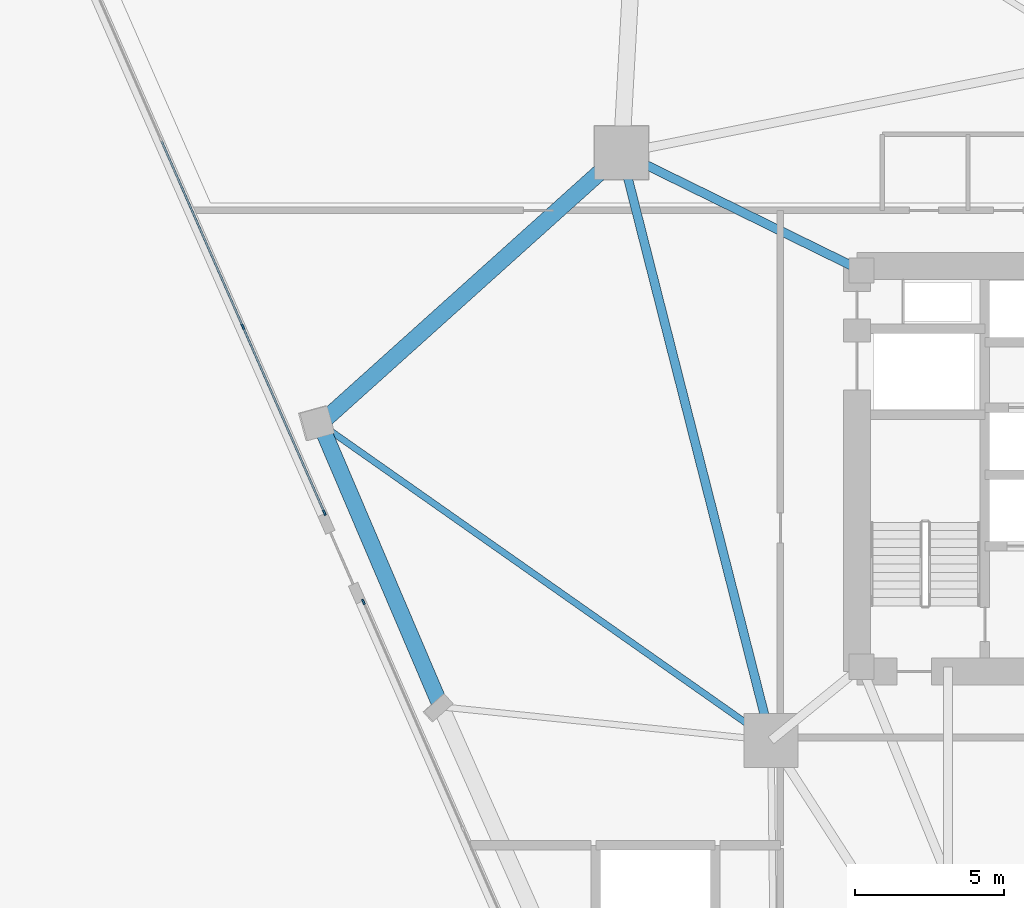
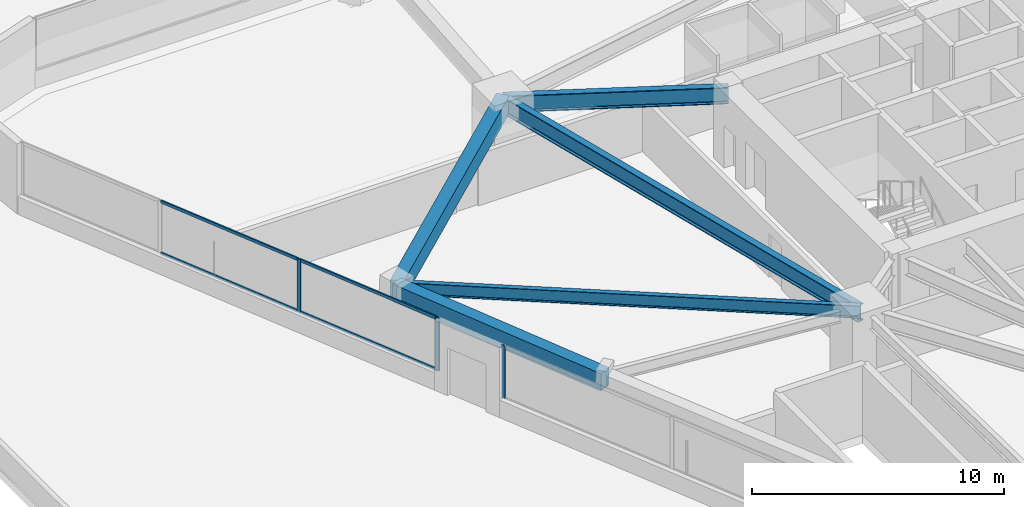
# One storey, part 6 of 21: 7 members, 5 beams, 2 elements without a shape of their own.
"""IFC4 building model written with IfcOpenShell, lengths in metres."""

from ifc_helpers import new_model, si_unit, direction, frame, origin, origin_2d, place, context, subcontext, project, spatial, rectangle, i_section, extrude, material, layer, layer_set, material_profile, profile_set, type_object, element, aggregate, save


model = new_model("IFC4")

# Units and contexts
model_context = context("Model", 3, precision=1e-05, world=origin(), true_north=direction((0.0, 1.0)))
body_context = subcontext(model_context, "Body", "Model", "MODEL_VIEW")
ifc_project = project(units=[si_unit("LENGTHUNIT", "METRE"), si_unit("AREAUNIT", "SQUARE_METRE"), si_unit("VOLUMEUNIT", "CUBIC_METRE"), si_unit("PLANEANGLEUNIT", "RADIAN"), si_unit("MASSUNIT", "GRAM", prefix="KILO")], contexts=[model_context])

# Site, building, storey
site_placement = place(None, origin())
site = spatial("IfcSite", under=ifc_project, at=site_placement, CompositionType="ELEMENT")
building_placement = place(site_placement, origin())
building = spatial("IfcBuilding", under=site, at=building_placement, Name="Talyreon Biosciences Tower", CompositionType="ELEMENT")
storey_placement = place(building_placement, frame((0.0, 0.0, 22.800048828125)))
storey = spatial("IfcBuildingStorey", under=building, at=storey_placement, Name="L05", CompositionType="ELEMENT", Elevation=22.800048828125)

# Curtain wall, member
ifc_material_1 = material(Name="Thermally broken aluminium and low-E glazing", Category="aluminium")
ifc_layer = layer(ifc_material_1, 0.195068359375)
ifc_layer_set = layer_set([ifc_layer], Name="Thermally broken aluminium and low-E glazing")
curtain_wall_type = type_object("IfcCurtainWallType", Name="CurtainWall_Zone1WetLab", PredefinedType="NOTDEFINED", material=ifc_layer_set)
curtain_wall_1_placement = place(storey_placement, origin())
curtain_wall_1 = element("IfcCurtainWall", 1, at=curtain_wall_1_placement, inside=storey, type_object=curtain_wall_type, Name="L05 Unitised Curtain Wall FCW-L05-00A", PredefinedType="NOTDEFINED")
ifc_material_2 = material(Name="Anodised thermally broken aluminium", Category="aluminium")
ifc_material_profile_1 = material_profile(ifc_material_2, rectangle(XDim=0.06494140625, YDim=0.179931640625, at=origin_2d()), Name="ALUM MULLION 65x180")
ifc_profile_set_1 = profile_set([ifc_material_profile_1], Name="Anodised thermally broken aluminium")
member_type_1 = type_object("IfcMemberType", Name="CWMullion_65x180", PredefinedType="MULLION", material=ifc_profile_set_1)
member_1_placement = place(storey_placement, frame((41.237548828125, 63.53125, 0.81005859375), z_axis=(0.0, 0.0, 1.0), x_axis=(-0.915927065786, -0.401344752253, 0.0)))
member_1 = element("IfcMember", 2, at=member_1_placement, type_object=member_type_1, Name="CW2 mullion 7", PredefinedType="MULLION", context=body_context, shape_type="SweptSolid", body=[
    extrude(rectangle(XDim=0.06494140625, YDim=0.179931640625, at=origin_2d()), origin(), (0.0, 0.0, 1.0), 2.56494140625),
])
aggregate(curtain_wall_1, [member_1])

# Curtain wall, members
curtain_wall_2_placement = place(storey_placement, origin())
curtain_wall_2 = element("IfcCurtainWall", 3, at=curtain_wall_2_placement, inside=storey, type_object=curtain_wall_type, Name="L05 Unitised Curtain Wall FCW-L05-00B", PredefinedType="NOTDEFINED")
member_2_placement = place(storey_placement, frame((39.927001953125, 66.521728515625, 0.81005859375), z_axis=(0.0, 0.0, 1.0), x_axis=(-0.915926152878, -0.401346835636, 0.0)))
member_2 = element("IfcMember", 4, at=member_2_placement, type_object=member_type_1, Name="CW2 mullion 1", PredefinedType="MULLION", context=body_context, shape_type="SweptSolid", body=[
    extrude(rectangle(XDim=0.06494140625, YDim=0.179931640625, at=origin_2d()), origin(), (0.0, 0.0, 1.0), 2.56494140625),
])
member_3_placement = place(storey_placement, frame((37.193115234375, 72.760986328125, 0.81005859375), z_axis=(0.0, 0.0, 1.0), x_axis=(-0.915926152878, -0.401346835636, 0.0)))
member_3 = element("IfcMember", 5, at=member_3_placement, type_object=member_type_1, Name="CW2 mullion 2", PredefinedType="MULLION", context=body_context, shape_type="SweptSolid", body=[
    extrude(rectangle(XDim=0.06494140625, YDim=0.179931640625, at=origin_2d()), origin(), (0.0, 0.0, 1.0), 2.56494140625),
])
ifc_material_profile_2 = material_profile(ifc_material_2, rectangle(XDim=0.06494140625, YDim=0.139892578125, at=origin_2d()), Name="ALUM TRANSOM 65x140")
ifc_profile_set_2 = profile_set([ifc_material_profile_2], Name="Anodised thermally broken aluminium")
member_type_2 = type_object("IfcMemberType", Name="CWTransom_65x140", PredefinedType="USERDEFINED", material=ifc_profile_set_2)
member_4_placement = place(storey_placement, frame((39.9140625, 66.551513671875, 0.842529296875), z_axis=(-0.401365454711, 0.915917994017, 0.0), x_axis=(-0.915917994017, -0.401365454711, 0.0)))
member_4 = element("IfcMember", 6, at=member_4_placement, type_object=member_type_2, Name="CW2 transom 1.1", ObjectType="TRANSOM", PredefinedType="USERDEFINED", context=body_context, shape_type="SweptSolid", body=[
    extrude(rectangle(XDim=0.06494140625, YDim=0.139892578125, at=origin_2d()), origin(), (0.0, 0.0, 1.0), 6.7470703125),
])
member_5_placement = place(storey_placement, frame((39.9140625, 66.551513671875, 3.342529296875), z_axis=(-0.401365454711, 0.915917994017, 0.0), x_axis=(-0.915917994017, -0.401365454711, 0.0)))
member_5 = element("IfcMember", 7, at=member_5_placement, type_object=member_type_2, Name="CW2 transom 1.2", ObjectType="TRANSOM", PredefinedType="USERDEFINED", context=body_context, shape_type="SweptSolid", body=[
    extrude(rectangle(XDim=0.06494140625, YDim=0.139892578125, at=origin_2d()), origin(), (0.0, 0.0, 1.0), 6.7470703125),
])
member_6_placement = place(storey_placement, frame((37.179931640625, 72.790771484375, 0.842529296875), z_axis=(-0.40133826693, 0.915929907524, 0.0), x_axis=(-0.915929907524, -0.40133826693, 0.0)))
member_6 = element("IfcMember", 8, at=member_6_placement, type_object=member_type_2, Name="CW2 transom 2.1", ObjectType="TRANSOM", PredefinedType="USERDEFINED", context=body_context, shape_type="SweptSolid", body=[
    extrude(rectangle(XDim=0.06494140625, YDim=0.139892578125, at=origin_2d()), origin(), (0.0, 0.0, 1.0), 6.77978515625),
])
member_7_placement = place(storey_placement, frame((37.179931640625, 72.790771484375, 3.342529296875), z_axis=(-0.40133826693, 0.915929907524, 0.0), x_axis=(-0.915929907524, -0.40133826693, 0.0)))
member_7 = element("IfcMember", 9, at=member_7_placement, type_object=member_type_2, Name="CW2 transom 2.2", ObjectType="TRANSOM", PredefinedType="USERDEFINED", context=body_context, shape_type="SweptSolid", body=[
    extrude(rectangle(XDim=0.06494140625, YDim=0.139892578125, at=origin_2d()), origin(), (0.0, 0.0, 1.0), 6.77978515625),
])
aggregate(curtain_wall_2, [member_2, member_3, member_4, member_5, member_6, member_7])

# Beams
ifc_material_3 = material(Name="Precast concrete C45/55", Category="concrete")
ifc_material_profile_3 = material_profile(ifc_material_3, rectangle(XDim=0.550048828125, YDim=0.85009765625, at=origin_2d()), Name="RCB 550x850")
ifc_profile_set_3 = profile_set([ifc_material_profile_3], Name="Precast concrete C45/55")
beam_type_1 = type_object("IfcBeamType", Name="ExpressedSpandrel_550x850", PredefinedType="SPANDREL", material=ifc_profile_set_3)
beam_1_placement = place(storey_placement, frame((49.897705078125, 78.5986328125, 2.949951171875), z_axis=(-0.743733281862, -0.668476480851, 0.0), x_axis=(0.668476480851, -0.743733281862, 0.0)))
element("IfcBeam", 10, at=beam_1_placement, inside=storey, type_object=beam_type_1, Name="L05 Expressed Horizontal Concrete Spandrel 09", PredefinedType="SPANDREL", context=body_context, shape_type="SweptSolid", body=[
    extrude(rectangle(XDim=0.550048828125, YDim=0.85009765625, at=origin_2d()), origin(), (0.0, 0.0, 1.0), 13.595947265625),
])
beam_2_placement = place(storey_placement, frame((39.785888671875, 69.510009765625, 2.949951171875), z_axis=(0.392455480639, -0.91977100178, 0.0), x_axis=(0.91977100178, 0.392455480639, 0.0)))
element("IfcBeam", 11, at=beam_2_placement, inside=storey, type_object=beam_type_1, Name="L05 Expressed Horizontal Concrete Spandrel 10", PredefinedType="SPANDREL", context=body_context, shape_type="SweptSolid", body=[
    extrude(rectangle(XDim=0.550048828125, YDim=0.85009765625, at=origin_2d()), origin(), (0.0, 0.0, 1.0), 10.329833984375),
])
ifc_material_4 = material(Name="Steel SM355", Category="steel")
ifc_material_profile_4 = material_profile(ifc_material_4, i_section(OverallWidth=0.300048828125, OverallDepth=0.800048828125, WebThickness=0.017578125, FlangeThickness=0.032958984375, FilletRadius=0.030029296875, at=origin_2d()), Name="HE800B")
ifc_profile_set_4 = profile_set([ifc_material_profile_4], Name="Steel SM355")
beam_type_2 = type_object("IfcBeamType", Name="SteelGirder_HE800B", PredefinedType="BEAM", material=ifc_profile_set_4)
beam_3_placement = place(storey_placement, frame((49.897705078125, 78.5986328125, 2.974853515625), z_axis=(0.246537082299, -0.969133358755, 0.0), x_axis=(0.969133358755, 0.246537082299, 0.0)))
element("IfcBeam", 12, at=beam_3_placement, inside=storey, type_object=beam_type_2, Name="L05 Mega-Ring Girder 5", PredefinedType="BEAM", context=body_context, shape_type="SweptSolid", body=[
    extrude(i_section(OverallWidth=0.300048828125, OverallDepth=0.800048828125, WebThickness=0.017578125, FlangeThickness=0.032958984375, FilletRadius=0.030029296875, at=origin_2d()), origin(), (0.0, 0.0, 1.0), 20.34619140625),
])
beam_4_placement = place(storey_placement, frame((57.949951171875, 74.64990234375, 2.974853515625), z_axis=(-0.897852360314, 0.440296648952, 0.0), x_axis=(-0.440296648952, -0.897852360314, 0.0)))
element("IfcBeam", 13, at=beam_4_placement, inside=storey, type_object=beam_type_2, Name="L05 Radial Primary Girder 5", PredefinedType="BEAM", context=body_context, shape_type="SweptSolid", body=[
    extrude(i_section(OverallWidth=0.300048828125, OverallDepth=0.800048828125, WebThickness=0.017578125, FlangeThickness=0.032958984375, FilletRadius=0.030029296875, at=origin_2d()), origin(), (0.0, 0.0, 1.0), 8.96826171875),
])
ifc_material_profile_5 = material_profile(ifc_material_4, i_section(OverallWidth=0.219970703125, OverallDepth=0.60009765625, WebThickness=0.011962890625, FlangeThickness=0.01904296875, FilletRadius=0.02392578125, at=origin_2d()), Name="IPE600")
ifc_profile_set_5 = profile_set([ifc_material_profile_5], Name="Steel SM355")
beam_type_3 = type_object("IfcBeamType", Name="SteelJoist_IPE600", PredefinedType="JOIST", material=ifc_profile_set_5)
beam_5_placement = place(storey_placement, frame((54.913818359375, 58.88037109375, 3.074951171875), z_axis=(-0.81821201018, 0.574916608212, 0.0), x_axis=(-0.574916608212, -0.81821201018, 0.0)))
element("IfcBeam", 14, at=beam_5_placement, inside=storey, type_object=beam_type_3, Name="L05 Radial Composite Floor Joist PC-SW1", PredefinedType="JOIST", context=body_context, shape_type="SweptSolid", body=[
    extrude(i_section(OverallWidth=0.219970703125, OverallDepth=0.60009765625, WebThickness=0.011962890625, FlangeThickness=0.01904296875, FilletRadius=0.02392578125, at=origin_2d()), origin(), (0.0, 0.0, 1.0), 18.489013671875),
])

save(model, "model.ifc")
